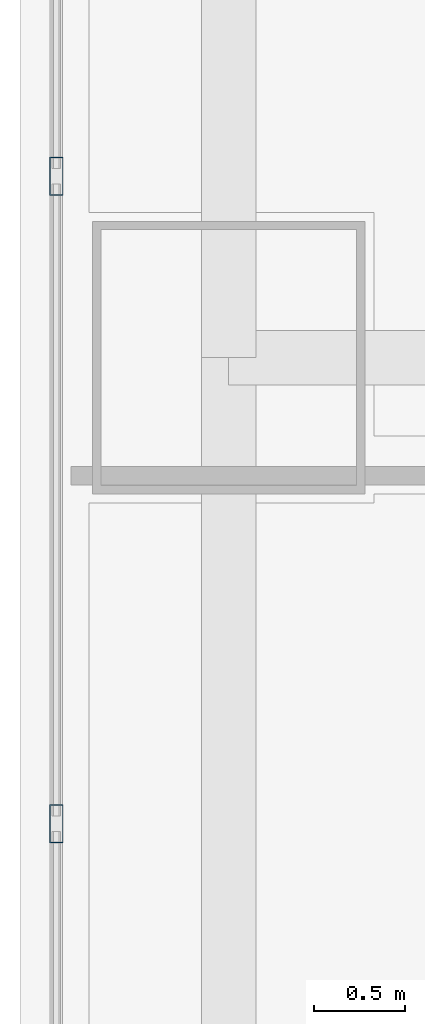
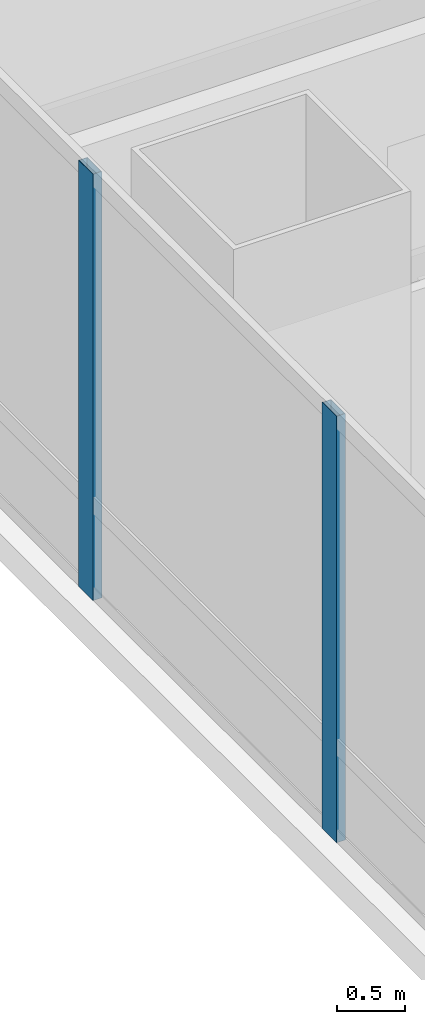
# One storey, part 7 of 40: 2 members, 1 element without a shape of its own.
"""IFC4 building model written with IfcOpenShell, lengths in metres."""

from ifc_helpers import new_model, si_unit, direction, frame, origin, origin_2d, place, context, subcontext, project, spatial, hollow_rectangle, extrude, material, material_profile, profile_set, type_object, element, aggregate, save


model = new_model("IFC4")

# Units and contexts
model_context = context("Model", 3, precision=1e-05, world=origin(), true_north=direction((0.0, 1.0)))
body_context = subcontext(model_context, "Body", "Model", "MODEL_VIEW")
ifc_project = project(units=[si_unit("LENGTHUNIT", "METRE"), si_unit("AREAUNIT", "SQUARE_METRE"), si_unit("VOLUMEUNIT", "CUBIC_METRE"), si_unit("PLANEANGLEUNIT", "RADIAN"), si_unit("MASSUNIT", "GRAM", prefix="KILO")], contexts=[model_context])

# Site, building, storey
site_placement = place(None, origin())
site = spatial("IfcSite", under=ifc_project, at=site_placement, CompositionType="ELEMENT")
building_placement = place(site_placement, origin())
building = spatial("IfcBuilding", under=site, at=building_placement, Name="Punatoya Terracotta Tower", CompositionType="ELEMENT")
storey_placement = place(building_placement, frame((0.0, 0.0, 76.800048828125)))
storey = spatial("IfcBuildingStorey", under=building, at=storey_placement, Name="L17", CompositionType="ELEMENT", Elevation=76.800048828125)

# Curtain wall, members
ifc_material_1 = material(Name="Aluminium 6063-T6 + Double Low-E Glass", Category="aluminium")
curtain_wall_type = type_object("IfcCurtainWallType", Name="CW-M1", PredefinedType="NOTDEFINED", material=ifc_material_1)
curtain_wall_placement = place(storey_placement, origin())
curtain_wall = element("IfcCurtainWall", 1, at=curtain_wall_placement, inside=storey, type_object=curtain_wall_type, Name="L17 Curtain Wall CW-L17-W13-1", PredefinedType="NOTDEFINED")
ifc_material_2 = material(Name="Aluminium 6063-T6", Category="aluminium")
ifc_material_profile = material_profile(ifc_material_2, hollow_rectangle(XDim=0.074951171875, YDim=0.2099609375, WallThickness=0.00439453125, at=origin_2d()))
ifc_profile_set = profile_set([ifc_material_profile], Name="Aluminium 6063-T6")
member_type = type_object("IfcMemberType", Name="CW-MUL-M1", PredefinedType="MULLION", material=ifc_profile_set)
member_1_placement = place(storey_placement, frame((-20.050048828125, -2.39990234375, 0.0), z_axis=(0.0, 0.0, 1.0), x_axis=(1.0, 0.0, 0.0)))
member_1 = element("IfcMember", 2, at=member_1_placement, type_object=member_type, Name="CW-L17-W13-1 Mullion 05", PredefinedType="MULLION", context=body_context, shape_type="SweptSolid", body=[
    extrude(hollow_rectangle(XDim=0.074951171875, YDim=0.2099609375, WallThickness=0.00439453125, at=origin_2d()), origin(), (0.0, 0.0, 1.0), 3.81005859375),
])
member_2_placement = place(storey_placement, frame((-20.050048828125, -5.96728515625, 0.0), z_axis=(0.0, 0.0, 1.0), x_axis=(1.0, 0.0, 0.0)))
member_2 = element("IfcMember", 3, at=member_2_placement, type_object=member_type, Name="CW-L17-W13-1 Mullion 06", PredefinedType="MULLION", context=body_context, shape_type="SweptSolid", body=[
    extrude(hollow_rectangle(XDim=0.074951171875, YDim=0.2099609375, WallThickness=0.00439453125, at=origin_2d()), origin(), (0.0, 0.0, 1.0), 3.81005859375),
])
aggregate(curtain_wall, [member_1, member_2])

save(model, "model.ifc")
